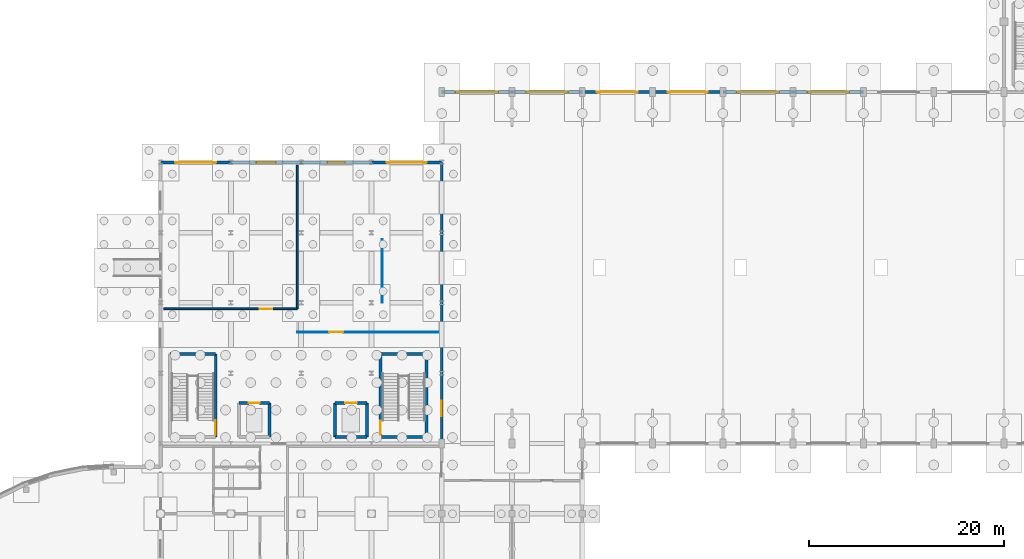
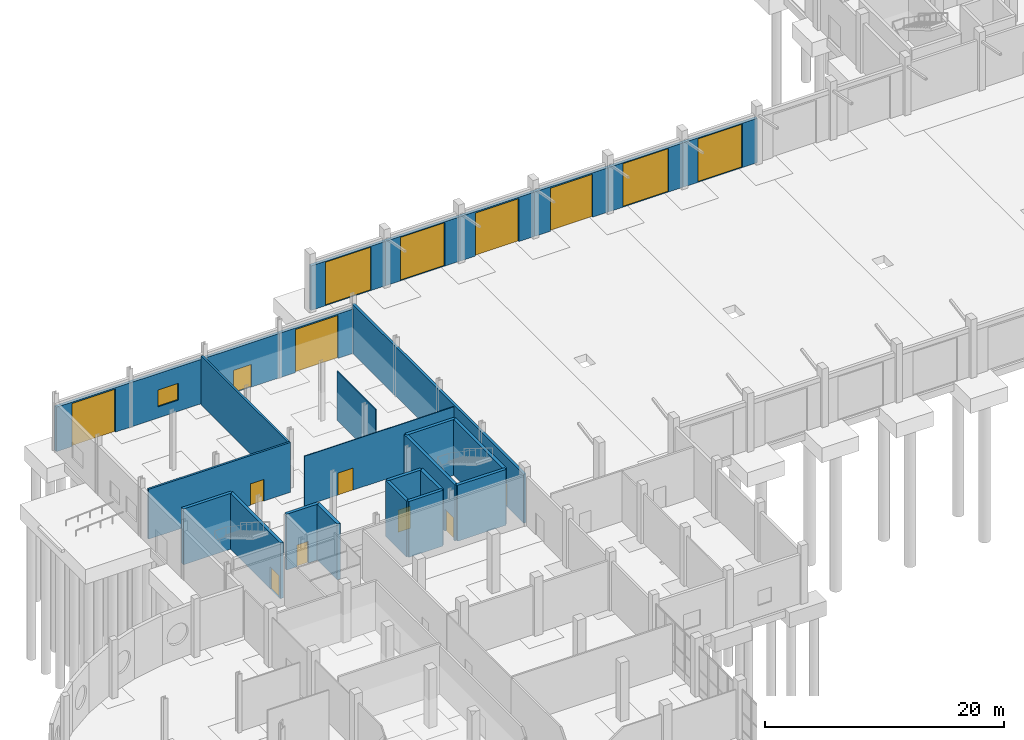
# One storey, part 33 of 45: 27 walls, 16 doors, 1 window, 17 openings.
"""IFC4 building model written with IfcOpenShell, lengths in metres."""

from ifc_helpers import new_model, si_unit, direction, frame, frame_2d, origin, place, context, subcontext, project, spatial, rectangle, extrude, material, layer, layer_set, type_object, element, fill, save


model = new_model("IFC4")

# Units and contexts
model_context = context("Model", 3, precision=1e-05, world=origin(), true_north=direction((0.0, 1.0)))
body_context = subcontext(model_context, "Body", "Model", "MODEL_VIEW")
ifc_project = project(units=[si_unit("LENGTHUNIT", "METRE"), si_unit("AREAUNIT", "SQUARE_METRE"), si_unit("VOLUMEUNIT", "CUBIC_METRE"), si_unit("PLANEANGLEUNIT", "RADIAN"), si_unit("MASSUNIT", "GRAM", prefix="KILO")], contexts=[model_context])

# Site, building, storey
site_placement = place(None, origin())
site = spatial("IfcSite", under=ifc_project, at=site_placement, CompositionType="ELEMENT")
building_placement = place(site_placement, origin())
building = spatial("IfcBuilding", under=site, at=building_placement, Name="Yarey Park Central Fire Station", CompositionType="ELEMENT")
storey_placement = place(building_placement, origin())
storey = spatial("IfcBuildingStorey", under=building, at=storey_placement, Name="L01", CompositionType="ELEMENT", Elevation=0.0)

# Wall, opening, door
ifc_material_1 = material(Name="Concrete C35/45", Category="concrete")
ifc_layer_1 = layer(ifc_material_1, 0.304931640625)
ifc_layer_set_1 = layer_set([ifc_layer_1], Name="Concrete C35/45")
wall_type_1 = type_object("IfcWallType", Name="ENV_WALL_CMU305", PredefinedType="STANDARD", material=ifc_layer_set_1)
wall_1_placement = place(storey_placement, frame((57.60009765625, 93.60009765625, 0.0), z_axis=(0.0, 0.0, 1.0), x_axis=(1.0, 0.0, 0.0)))
wall_1 = element("IfcWall", 1, at=wall_1_placement, inside=storey, type_object=wall_type_1, Name="EW_L01_V2_N_01", PredefinedType="STANDARD", context=body_context, shape_type="SweptSolid", body=[
    extrude(rectangle(XDim=7.199951171875, YDim=0.304931640625, at=frame_2d((3.60009765625, 0.0))), origin(), (0.0, 0.0, 1.0), 4.5400390625),
])
opening_1_placement = place(wall_1_placement, frame((1.39990234375, 0.0, 0.0)))
opening_1 = element("IfcOpeningElement", 2, at=opening_1_placement, cuts=wall_1, Name="Opening VD-44", PredefinedType="OPENING", context=body_context, shape_type="SweptSolid", body=[
    extrude(rectangle(XDim=4.39990234375, YDim=4.449951171875, at=frame_2d((2.199951171875, 2.22509765625))), frame((0.0, 0.162353515625, 0.0), z_axis=(0.0, -1.0, 0.0), x_axis=(1.0, 0.0, 0.0)), (0.0, 0.0, 1.0), 0.324951171875),
])
ifc_material_2 = material(Name="Anodized Aluminium Frame", Category="aluminium")
door_type_1 = type_object("IfcDoorType", Name="ENV_GATE_VD4400", OperationType="NOTDEFINED", PredefinedType="GATE", material=ifc_material_2)
door_1_placement = place(opening_1_placement, origin())
door_1 = element("IfcDoor", 3, at=door_1_placement, inside=storey, type_object=door_type_1, Name="GATE_VD_01", OperationType="FOLDING_TO_LEFT", OverallHeight=4.449951171875, OverallWidth=4.39990234375, PredefinedType="GATE", context=body_context, shape_type="SweptSolid", body=[
    extrude(rectangle(XDim=4.39990234375, YDim=4.449951171875, at=frame_2d((2.199951171875, 2.22509765625))), frame((0.0, 0.02490234375, 0.0), z_axis=(0.0, -1.0, 0.0), x_axis=(1.0, 0.0, 0.0)), (0.0, 0.0, 1.0), 0.050048828125),
])
fill(opening_1, door_1)

wall_2_placement = place(storey_placement, frame((64.800048828125, 93.60009765625, 0.0), z_axis=(0.0, 0.0, 1.0), x_axis=(1.0, 0.0, 0.0)))
wall_2 = element("IfcWall", 4, at=wall_2_placement, inside=storey, type_object=wall_type_1, Name="EW_L01_V2_N_02", PredefinedType="STANDARD", context=body_context, shape_type="SweptSolid", body=[
    extrude(rectangle(XDim=7.199951171875, YDim=0.304931640625, at=frame_2d((3.60009765625, 0.0))), origin(), (0.0, 0.0, 1.0), 4.5400390625),
])
opening_2_placement = place(wall_2_placement, frame((1.449951171875, 0.0, 0.0)))
opening_2 = element("IfcOpeningElement", 5, at=opening_2_placement, cuts=wall_2, Name="Opening VD-43", PredefinedType="OPENING", context=body_context, shape_type="SweptSolid", body=[
    extrude(rectangle(XDim=4.300048828125, YDim=4.449951171875, at=frame_2d((2.14990234375, 2.22509765625))), frame((0.0, 0.162353515625, 0.0), z_axis=(0.0, -1.0, 0.0), x_axis=(1.0, 0.0, 0.0)), (0.0, 0.0, 1.0), 0.324951171875),
])
door_type_2 = type_object("IfcDoorType", Name="ENV_GATE_VD4300", OperationType="NOTDEFINED", PredefinedType="GATE", material=ifc_material_2)
door_2_placement = place(opening_2_placement, origin())
door_2 = element("IfcDoor", 6, at=door_2_placement, inside=storey, type_object=door_type_2, Name="GATE_VD_02", OperationType="FOLDING_TO_LEFT", OverallHeight=4.449951171875, OverallWidth=4.300048828125, PredefinedType="GATE", context=body_context, shape_type="SweptSolid", body=[
    extrude(rectangle(XDim=4.300048828125, YDim=4.449951171875, at=frame_2d((2.14990234375, 2.22509765625))), frame((0.0, 0.02490234375, 0.0), z_axis=(0.0, -1.0, 0.0), x_axis=(1.0, 0.0, 0.0)), (0.0, 0.0, 1.0), 0.050048828125),
])
fill(opening_2, door_2)

wall_3_placement = place(storey_placement, frame((72.0, 93.60009765625, 0.0), z_axis=(0.0, 0.0, 1.0), x_axis=(1.0, 0.0, 0.0)))
wall_3 = element("IfcWall", 7, at=wall_3_placement, inside=storey, type_object=wall_type_1, Name="EW_L01_V2_N_03", PredefinedType="STANDARD", context=body_context, shape_type="SweptSolid", body=[
    extrude(rectangle(XDim=7.199951171875, YDim=0.304931640625, at=frame_2d((3.60009765625, 0.0))), origin(), (0.0, 0.0, 1.0), 4.5400390625),
])
opening_3_placement = place(wall_3_placement, frame((1.5, 0.0, 0.0)))
opening_3 = element("IfcOpeningElement", 8, at=opening_3_placement, cuts=wall_3, Name="Opening VD-42", PredefinedType="OPENING", context=body_context, shape_type="SweptSolid", body=[
    extrude(rectangle(XDim=4.199951171875, YDim=4.39990234375, at=frame_2d((2.10009765625, 2.199951171875))), frame((0.0, 0.162353515625, 0.0), z_axis=(0.0, -1.0, 0.0), x_axis=(1.0, 0.0, 0.0)), (0.0, 0.0, 1.0), 0.324951171875),
])
door_type_3 = type_object("IfcDoorType", Name="ENV_GATE_VD4200", OperationType="NOTDEFINED", PredefinedType="GATE", material=ifc_material_2)
door_3_placement = place(opening_3_placement, origin())
door_3 = element("IfcDoor", 9, at=door_3_placement, inside=storey, type_object=door_type_3, Name="GATE_VD_03", OperationType="FOLDING_TO_LEFT", OverallHeight=4.39990234375, OverallWidth=4.199951171875, PredefinedType="GATE", context=body_context, shape_type="SweptSolid", body=[
    extrude(rectangle(XDim=4.199951171875, YDim=4.39990234375, at=frame_2d((2.10009765625, 2.199951171875))), frame((0.0, 0.02490234375, 0.0), z_axis=(0.0, -1.0, 0.0), x_axis=(1.0, 0.0, 0.0)), (0.0, 0.0, 1.0), 0.050048828125),
])
fill(opening_3, door_3)

wall_4_placement = place(storey_placement, frame((79.199951171875, 93.60009765625, 0.0), z_axis=(0.0, 0.0, 1.0), x_axis=(1.0, 0.0, 0.0)))
wall_4 = element("IfcWall", 10, at=wall_4_placement, inside=storey, type_object=wall_type_1, Name="EW_L01_V2_N_04", PredefinedType="STANDARD", context=body_context, shape_type="SweptSolid", body=[
    extrude(rectangle(XDim=7.199951171875, YDim=0.304931640625, at=frame_2d((3.60009765625, 0.0))), origin(), (0.0, 0.0, 1.0), 4.5400390625),
])
opening_4_placement = place(wall_4_placement, frame((1.550048828125, 0.0, 0.0)))
opening_4 = element("IfcOpeningElement", 11, at=opening_4_placement, cuts=wall_4, Name="Opening VD-41", PredefinedType="OPENING", context=body_context, shape_type="SweptSolid", body=[
    extrude(rectangle(XDim=4.10009765625, YDim=4.39990234375, at=frame_2d((2.050048828125, 2.199951171875))), frame((0.0, 0.162353515625, 0.0), z_axis=(0.0, -1.0, 0.0), x_axis=(1.0, 0.0, 0.0)), (0.0, 0.0, 1.0), 0.324951171875),
])
door_type_4 = type_object("IfcDoorType", Name="ENV_GATE_VD4100", OperationType="NOTDEFINED", PredefinedType="GATE", material=ifc_material_2)
door_4_placement = place(opening_4_placement, origin())
door_4 = element("IfcDoor", 12, at=door_4_placement, inside=storey, type_object=door_type_4, Name="GATE_VD_04", OperationType="FOLDING_TO_LEFT", OverallHeight=4.39990234375, OverallWidth=4.10009765625, PredefinedType="GATE", context=body_context, shape_type="SweptSolid", body=[
    extrude(rectangle(XDim=4.10009765625, YDim=4.39990234375, at=frame_2d((2.050048828125, 2.199951171875))), frame((0.0, 0.02490234375, 0.0), z_axis=(0.0, -1.0, 0.0), x_axis=(1.0, 0.0, 0.0)), (0.0, 0.0, 1.0), 0.050048828125),
])
fill(opening_4, door_4)

wall_5_placement = place(storey_placement, frame((86.39990234375, 93.60009765625, 0.0), z_axis=(0.0, 0.0, 1.0), x_axis=(1.0, 0.0, 0.0)))
wall_5 = element("IfcWall", 13, at=wall_5_placement, inside=storey, type_object=wall_type_1, Name="EW_L01_V2_N_05", PredefinedType="STANDARD", context=body_context, shape_type="SweptSolid", body=[
    extrude(rectangle(XDim=7.2001953125, YDim=0.304931640625, at=frame_2d((3.60009765625, 0.0))), origin(), (0.0, 0.0, 1.0), 4.5400390625),
])
opening_5_placement = place(wall_5_placement, frame((1.39990234375, 0.0, 0.0)))
opening_5 = element("IfcOpeningElement", 14, at=opening_5_placement, cuts=wall_5, Name="Opening VD-44", PredefinedType="OPENING", context=body_context, shape_type="SweptSolid", body=[
    extrude(rectangle(XDim=4.39990234375, YDim=4.449951171875, at=frame_2d((2.199951171875, 2.22509765625))), frame((0.0, 0.162353515625, 0.0), z_axis=(0.0, -1.0, 0.0), x_axis=(1.0, 0.0, 0.0)), (0.0, 0.0, 1.0), 0.324951171875),
])
door_5_placement = place(opening_5_placement, origin())
door_5 = element("IfcDoor", 15, at=door_5_placement, inside=storey, type_object=door_type_1, Name="GATE_VD_05", OperationType="FOLDING_TO_LEFT", OverallHeight=4.449951171875, OverallWidth=4.39990234375, PredefinedType="GATE", context=body_context, shape_type="SweptSolid", body=[
    extrude(rectangle(XDim=4.39990234375, YDim=4.449951171875, at=frame_2d((2.199951171875, 2.22509765625))), frame((0.0, 0.02490234375, 0.0), z_axis=(0.0, -1.0, 0.0), x_axis=(1.0, 0.0, 0.0)), (0.0, 0.0, 1.0), 0.050048828125),
])
fill(opening_5, door_5)

wall_6_placement = place(storey_placement, frame((93.60009765625, 93.60009765625, 0.0), z_axis=(0.0, 0.0, 1.0), x_axis=(1.0, 0.0, 0.0)))
wall_6 = element("IfcWall", 16, at=wall_6_placement, inside=storey, type_object=wall_type_1, Name="EW_L01_V2_N_06", PredefinedType="STANDARD", context=body_context, shape_type="SweptSolid", body=[
    extrude(rectangle(XDim=7.199951171875, YDim=0.304931640625, at=frame_2d((3.60009765625, 0.0))), origin(), (0.0, 0.0, 1.0), 4.5400390625),
])
opening_6_placement = place(wall_6_placement, frame((1.449951171875, 0.0, 0.0)))
opening_6 = element("IfcOpeningElement", 17, at=opening_6_placement, cuts=wall_6, Name="Opening VD-43", PredefinedType="OPENING", context=body_context, shape_type="SweptSolid", body=[
    extrude(rectangle(XDim=4.300048828125, YDim=4.449951171875, at=frame_2d((2.14990234375, 2.22509765625))), frame((0.0, 0.162353515625, 0.0), z_axis=(0.0, -1.0, 0.0), x_axis=(1.0, 0.0, 0.0)), (0.0, 0.0, 1.0), 0.324951171875),
])
door_6_placement = place(opening_6_placement, origin())
door_6 = element("IfcDoor", 18, at=door_6_placement, inside=storey, type_object=door_type_2, Name="GATE_VD_06", OperationType="FOLDING_TO_LEFT", OverallHeight=4.449951171875, OverallWidth=4.300048828125, PredefinedType="GATE", context=body_context, shape_type="SweptSolid", body=[
    extrude(rectangle(XDim=4.300048828125, YDim=4.449951171875, at=frame_2d((2.14990234375, 2.22509765625))), frame((0.0, 0.02490234375, 0.0), z_axis=(0.0, -1.0, 0.0), x_axis=(1.0, 0.0, 0.0)), (0.0, 0.0, 1.0), 0.050048828125),
])
fill(opening_6, door_6)

wall_7_placement = place(storey_placement, frame((36.0, 86.39990234375, 0.0), z_axis=(0.0, 0.0, 1.0), x_axis=(-1.0, 0.0, 0.0)))
wall_7 = element("IfcWall", 19, at=wall_7_placement, inside=storey, type_object=wall_type_1, Name="EW_L01_V3_NBAY_1", PredefinedType="STANDARD", context=body_context, shape_type="SweptSolid", body=[
    extrude(rectangle(XDim=7.199951171875, YDim=0.304931640625, at=frame_2d((3.60009765625, 0.0))), origin(), (0.0, 0.0, 1.0), 4.5400390625),
])
opening_7_placement = place(wall_7_placement, frame((1.5, 0.0, 0.0)))
opening_7 = element("IfcOpeningElement", 20, at=opening_7_placement, cuts=wall_7, Name="Opening VD-42", PredefinedType="OPENING", context=body_context, shape_type="SweptSolid", body=[
    extrude(rectangle(XDim=4.199951171875, YDim=4.39990234375, at=frame_2d((2.10009765625, 2.199951171875))), frame((0.0, 0.162353515625, 0.0), z_axis=(0.0, -1.0, 0.0), x_axis=(1.0, 0.0, 0.0)), (0.0, 0.0, 1.0), 0.324951171875),
])
door_7_placement = place(opening_7_placement, origin())
door_7 = element("IfcDoor", 21, at=door_7_placement, inside=storey, type_object=door_type_3, Name="GATE_VD_PLINTH_N1", OperationType="FOLDING_TO_LEFT", OverallHeight=4.39990234375, OverallWidth=4.199951171875, PredefinedType="GATE", context=body_context, shape_type="SweptSolid", body=[
    extrude(rectangle(XDim=4.199951171875, YDim=4.39990234375, at=frame_2d((2.10009765625, 2.199951171875))), frame((0.0, 0.02490234375, 0.0), z_axis=(0.0, -1.0, 0.0), x_axis=(1.0, 0.0, 0.0)), (0.0, 0.0, 1.0), 0.050048828125),
])
fill(opening_7, door_7)

# Wall, opening, window
wall_8_placement = place(storey_placement, frame((43.199951171875, 86.39990234375, 0.0), z_axis=(0.0, 0.0, 1.0), x_axis=(-1.0, 0.0, 0.0)))
wall_8 = element("IfcWall", 22, at=wall_8_placement, inside=storey, type_object=wall_type_1, Name="EW_L01_V3_NBAY_2", PredefinedType="STANDARD", context=body_context, shape_type="SweptSolid", body=[
    extrude(rectangle(XDim=7.199951171875, YDim=0.304931640625, at=frame_2d((3.60009765625, 0.0))), origin(), (0.0, 0.0, 1.0), 4.5400390625),
])
opening_8_placement = place(wall_8_placement, frame((2.610107421875, 0.0, 1.14990234375)))
opening_8 = element("IfcOpeningElement", 23, at=opening_8_placement, cuts=wall_8, Name="Opening WN-P198", PredefinedType="OPENING", context=body_context, shape_type="SweptSolid", body=[
    extrude(rectangle(XDim=1.97998046875, YDim=1.719970703125, at=frame_2d((0.989990234375, 0.85986328125))), frame((0.0, 0.162353515625, 0.0), z_axis=(0.0, -1.0, 0.0), x_axis=(1.0, 0.0, 0.0)), (0.0, 0.0, 1.0), 0.324951171875),
])
ifc_material_3 = material(Name="Laminated Hurricane Low-E Glass", Category="glass")
window_type = type_object("IfcWindowType", Name="ENV_WIN_PUNCH_198", PartitioningType="SINGLE_PANEL", PredefinedType="WINDOW", material=ifc_material_3)
window_placement = place(opening_8_placement, origin())
window = element("IfcWindow", 24, at=window_placement, inside=storey, type_object=window_type, Name="WIN_L01_V3N_1", OverallHeight=1.719970703125, OverallWidth=1.97998046875, PartitioningType="SINGLE_PANEL", PredefinedType="WINDOW", context=body_context, shape_type="SweptSolid", body=[
    extrude(rectangle(XDim=1.97998046875, YDim=1.719970703125, at=frame_2d((0.989990234375, 0.85986328125))), frame((0.0, 0.030029296875, 0.0), z_axis=(0.0, -1.0, 0.0), x_axis=(1.0, 0.0, 0.0)), (0.0, 0.0, 1.0), 0.06005859375),
])
fill(opening_8, window)

# Wall, opening, door
wall_9_placement = place(storey_placement, frame((43.199951171875, 86.39990234375, 0.0), z_axis=(0.0, 0.0, 1.0), x_axis=(1.0, 0.0, 0.0)))
wall_9 = element("IfcWall", 25, at=wall_9_placement, inside=storey, type_object=wall_type_1, Name="EW_L01_V3_NBAY_3", PredefinedType="STANDARD", context=body_context, shape_type="SweptSolid", body=[
    extrude(rectangle(XDim=7.199951171875, YDim=0.304931640625, at=frame_2d((3.60009765625, 0.0))), origin(), (0.0, 0.0, 1.0), 4.5400390625),
])
opening_9_placement = place(wall_9_placement, frame((2.719970703125, 0.0, 0.0)))
opening_9 = element("IfcOpeningElement", 26, at=opening_9_placement, cuts=wall_9, Name="Opening ED-176", PredefinedType="OPENING", context=body_context, shape_type="SweptSolid", body=[
    extrude(rectangle(XDim=1.760009765625, YDim=2.320068359375, at=frame_2d((0.8798828125, 1.16015625))), frame((0.0, 0.162353515625, 0.0), z_axis=(0.0, -1.0, 0.0), x_axis=(1.0, 0.0, 0.0)), (0.0, 0.0, 1.0), 0.324951171875),
])
ifc_material_4 = material(Name="Galvanized Hollow Metal Door", Category="metal")
door_type_5 = type_object("IfcDoorType", Name="ENV_DOOR_EX1760", OperationType="NOTDEFINED", PredefinedType="DOOR", material=ifc_material_4)
door_8_placement = place(opening_9_placement, origin())
door_8 = element("IfcDoor", 27, at=door_8_placement, inside=storey, type_object=door_type_5, Name="DOOR_L01_EX_E05", OperationType="SINGLE_SWING_LEFT", OverallHeight=2.320068359375, OverallWidth=1.760009765625, PredefinedType="DOOR", context=body_context, shape_type="SweptSolid", body=[
    extrude(rectangle(XDim=1.760009765625, YDim=2.320068359375, at=frame_2d((0.8798828125, 1.16015625))), frame((0.0, 0.02490234375, 0.0), z_axis=(0.0, -1.0, 0.0), x_axis=(1.0, 0.0, 0.0)), (0.0, 0.0, 1.0), 0.050048828125),
])
fill(opening_9, door_8)

wall_10_placement = place(storey_placement, frame((57.60009765625, 86.39990234375, 0.0), z_axis=(0.0, 0.0, 1.0), x_axis=(-1.0, 0.0, 0.0)))
wall_10 = element("IfcWall", 28, at=wall_10_placement, inside=storey, type_object=wall_type_1, Name="EW_L01_V3_NBAY_4", PredefinedType="STANDARD", context=body_context, shape_type="SweptSolid", body=[
    extrude(rectangle(XDim=7.2001953125, YDim=0.304931640625, at=frame_2d((3.60009765625, 0.0))), origin(), (0.0, 0.0, 1.0), 4.5400390625),
])
opening_10_placement = place(wall_10_placement, frame((1.550048828125, 0.0, 0.0)))
opening_10 = element("IfcOpeningElement", 29, at=opening_10_placement, cuts=wall_10, Name="Opening VD-41", PredefinedType="OPENING", context=body_context, shape_type="SweptSolid", body=[
    extrude(rectangle(XDim=4.10009765625, YDim=4.39990234375, at=frame_2d((2.050048828125, 2.199951171875))), frame((0.0, 0.162353515625, 0.0), z_axis=(0.0, -1.0, 0.0), x_axis=(1.0, 0.0, 0.0)), (0.0, 0.0, 1.0), 0.324951171875),
])
door_9_placement = place(opening_10_placement, origin())
door_9 = element("IfcDoor", 30, at=door_9_placement, inside=storey, type_object=door_type_4, Name="GATE_VD_PLINTH_N4", OperationType="FOLDING_TO_LEFT", OverallHeight=4.39990234375, OverallWidth=4.10009765625, PredefinedType="GATE", context=body_context, shape_type="SweptSolid", body=[
    extrude(rectangle(XDim=4.10009765625, YDim=4.39990234375, at=frame_2d((2.050048828125, 2.199951171875))), frame((0.0, 0.02490234375, 0.0), z_axis=(0.0, -1.0, 0.0), x_axis=(1.0, 0.0, 0.0)), (0.0, 0.0, 1.0), 0.050048828125),
])
fill(opening_10, door_9)

ifc_material_5 = material(Name="Concrete C40/50", Category="concrete")
ifc_layer_2 = layer(ifc_material_5, 0.27001953125)
ifc_layer_set_2 = layer_set([ifc_layer_2], Name="Concrete C40/50")
wall_type_2 = type_object("IfcWallType", Name="INT_CORE_RC270", PredefinedType="SHEAR", material=ifc_layer_set_2)
wall_11_placement = place(storey_placement, frame((39.949951171875, 61.75, 0.0), z_axis=(0.0, 0.0, 1.0), x_axis=(-1.0, 0.0, 0.0)))
wall_11 = element("IfcWall", 31, at=wall_11_placement, inside=storey, type_object=wall_type_2, Name="LWALL_C3_L01_N", PredefinedType="SHEAR", context=body_context, shape_type="SweptSolid", body=[
    extrude(rectangle(XDim=3.099853515625, YDim=0.300048828125, at=frame_2d((1.5498046875, 0.0))), origin(), (0.0, 0.0, 1.0), 5.715087890625),
])
opening_11_placement = place(wall_11_placement, frame((1.0, 0.0, 0.0)))
opening_11 = element("IfcOpeningElement", 32, at=opening_11_placement, cuts=wall_11, Name="Opening LD-11", PredefinedType="OPENING", context=body_context, shape_type="SweptSolid", body=[
    extrude(rectangle(XDim=1.10009765625, YDim=2.219970703125, at=frame_2d((0.550048828125, 1.10986328125))), frame((0.0, 0.159912109375, 0.0), z_axis=(0.0, -1.0, 0.0), x_axis=(1.0, 0.0, 0.0)), (0.0, 0.0, 1.0), 0.320068359375),
])
ifc_material_6 = material(Name="Stainless Steel AISI 316L", Category="steel")
door_type_6 = type_object("IfcDoorType", Name="DR_LD_1100", OperationType="NOTDEFINED", PredefinedType="DOOR", material=ifc_material_6)
door_10_placement = place(opening_11_placement, origin())
door_10 = element("IfcDoor", 33, at=door_10_placement, inside=storey, type_object=door_type_6, Name="Lift Landing Door LF-3-L01", OperationType="SLIDING_TO_LEFT", OverallHeight=2.219970703125, OverallWidth=1.10009765625, PredefinedType="DOOR", context=body_context, shape_type="SweptSolid", body=[
    extrude(rectangle(XDim=1.10009765625, YDim=2.219970703125, at=frame_2d((0.550048828125, 1.10986328125))), frame((0.0, 0.02490234375, 0.0), z_axis=(0.0, -1.0, 0.0), x_axis=(1.0, 0.0, 0.0)), (0.0, 0.0, 1.0), 0.050048828125),
])
fill(opening_11, door_10)

# Walls
wall_12_placement = place(storey_placement, frame((39.949951171875, 58.25, 0.0), z_axis=(0.0, 0.0, 1.0), x_axis=(0.0, 1.0, 0.0)))
element("IfcWall", 34, at=wall_12_placement, inside=storey, type_object=wall_type_2, Name="LWALL_C3_L01_E", PredefinedType="SHEAR", context=body_context, shape_type="SweptSolid", body=[
    extrude(rectangle(XDim=3.5, YDim=0.300048828125, at=frame_2d((1.75, 0.0))), origin(), (0.0, 0.0, 1.0), 5.715087890625),
])
wall_13_placement = place(storey_placement, frame((46.64990234375, 58.25, 0.0), z_axis=(0.0, 0.0, 1.0), x_axis=(1.0, 0.0, 0.0)))
element("IfcWall", 35, at=wall_13_placement, inside=storey, type_object=wall_type_2, Name="LWALL_C4_L01_S", PredefinedType="SHEAR", context=body_context, shape_type="SweptSolid", body=[
    extrude(rectangle(XDim=3.300048828125, YDim=0.300048828125, at=frame_2d((1.64990234375, 0.0))), origin(), (0.0, 0.0, 1.0), 5.715087890625),
])

# Wall, opening, door
wall_14_placement = place(storey_placement, frame((49.949951171875, 61.75, 0.0), z_axis=(0.0, 0.0, 1.0), x_axis=(-1.0, 0.0, 0.0)))
wall_14 = element("IfcWall", 36, at=wall_14_placement, inside=storey, type_object=wall_type_2, Name="LWALL_C4_L01_N", PredefinedType="SHEAR", context=body_context, shape_type="SweptSolid", body=[
    extrude(rectangle(XDim=3.300048828125, YDim=0.300048828125, at=frame_2d((1.64990234375, 0.0))), origin(), (0.0, 0.0, 1.0), 5.715087890625),
])
opening_12_placement = place(wall_14_placement, frame((1.050048828125, 0.0, 0.0)))
opening_12 = element("IfcOpeningElement", 37, at=opening_12_placement, cuts=wall_14, Name="Opening LD-12", PredefinedType="OPENING", context=body_context, shape_type="SweptSolid", body=[
    extrude(rectangle(XDim=1.199951171875, YDim=2.260009765625, at=frame_2d((0.60009765625, 1.1298828125))), frame((0.0, 0.159912109375, 0.0), z_axis=(0.0, -1.0, 0.0), x_axis=(1.0, 0.0, 0.0)), (0.0, 0.0, 1.0), 0.320068359375),
])
door_type_7 = type_object("IfcDoorType", Name="DR_LD_1200", OperationType="NOTDEFINED", PredefinedType="DOOR", material=ifc_material_6)
door_11_placement = place(opening_12_placement, origin())
door_11 = element("IfcDoor", 38, at=door_11_placement, inside=storey, type_object=door_type_7, Name="Lift Landing Door LF-4-L01", OperationType="SLIDING_TO_LEFT", OverallHeight=2.260009765625, OverallWidth=1.199951171875, PredefinedType="DOOR", context=body_context, shape_type="SweptSolid", body=[
    extrude(rectangle(XDim=1.199951171875, YDim=2.260009765625, at=frame_2d((0.60009765625, 1.1298828125))), frame((0.0, 0.02490234375, 0.0), z_axis=(0.0, -1.0, 0.0), x_axis=(1.0, 0.0, 0.0)), (0.0, 0.0, 1.0), 0.050048828125),
])
fill(opening_12, door_11)

# Walls
for number, where, z_axis, x_axis, name in (
    (39, (46.64990234375, 61.75, 0.0), (0.0, 0.0, 1.0), (0.0, -1.0, 0.0), "LWALL_C4_L01_W"),
    (40, (49.949951171875, 58.25, 0.0), (0.0, 0.0, 1.0), (0.0, 1.0, 0.0), "LWALL_C4_L01_E"),
):
    element("IfcWall", number, at=place(storey_placement, frame(where, z_axis=z_axis, x_axis=x_axis)), inside=storey, type_object=wall_type_2, Name=name, PredefinedType="SHEAR", context=body_context, shape_type="SweptSolid", body=[
        extrude(rectangle(XDim=3.5, YDim=0.300048828125, at=frame_2d((1.75, 0.0))), origin(), (0.0, 0.0, 1.0), 5.715087890625),
    ])
ifc_layer_3 = layer(ifc_material_5, 0.300048828125)
ifc_layer_set_3 = layer_set([ifc_layer_3], Name="Concrete C40/50")
wall_type_3 = type_object("IfcWallType", Name="INT_CORE_RC300", PredefinedType="SHEAR", material=ifc_layer_set_3)
wall_15_placement = place(storey_placement, frame((34.449951171875, 66.75, 0.0), z_axis=(0.0, 0.0, 1.0), x_axis=(-1.0, 0.0, 0.0)))
element("IfcWall", 41, at=wall_15_placement, inside=storey, type_object=wall_type_3, Name="CWALL_C3_L01_N", PredefinedType="SHEAR", context=body_context, shape_type="SweptSolid", body=[
    extrude(rectangle(XDim=4.699951171875, YDim=0.300048828125, at=frame_2d((2.35009765625, 0.0))), origin(), (0.0, 0.0, 1.0), 5.715087890625),
])

# Wall, opening, door
wall_16_placement = place(storey_placement, frame((34.449951171875, 66.75, 0.0), z_axis=(0.0, 0.0, 1.0), x_axis=(0.0, -1.0, 0.0)))
wall_16 = element("IfcWall", 42, at=wall_16_placement, inside=storey, type_object=wall_type_3, Name="CWALL_C3_L01_E", PredefinedType="SHEAR", context=body_context, shape_type="SweptSolid", body=[
    extrude(rectangle(XDim=8.5, YDim=0.300048828125, at=frame_2d((4.25, 0.0))), origin(), (0.0, 0.0, 1.0), 5.715087890625),
])
opening_13_placement = place(wall_16_placement, frame((6.7900390625, 0.0, 0.0)))
opening_13 = element("IfcOpeningElement", 43, at=opening_13_placement, cuts=wall_16, Name="Opening SD-146", PredefinedType="OPENING", context=body_context, shape_type="SweptSolid", body=[
    extrude(rectangle(XDim=1.4599609375, YDim=2.239990234375, at=frame_2d((0.72998046875, 1.1201171875))), frame((0.0, 0.159912109375, 0.0), z_axis=(0.0, -1.0, 0.0), x_axis=(1.0, 0.0, 0.0)), (0.0, 0.0, 1.0), 0.320068359375),
])
door_type_8 = type_object("IfcDoorType", Name="DR_STAIR_1460", OperationType="NOTDEFINED", PredefinedType="DOOR", material=ifc_material_4)
door_12_placement = place(opening_13_placement, origin())
door_12 = element("IfcDoor", 44, at=door_12_placement, inside=storey, type_object=door_type_8, Name="DOOR_STAIR_C3_L01", OperationType="SINGLE_SWING_LEFT", OverallHeight=2.239990234375, OverallWidth=1.4599609375, PredefinedType="DOOR", context=body_context, shape_type="SweptSolid", body=[
    extrude(rectangle(XDim=1.4599609375, YDim=2.239990234375, at=frame_2d((0.72998046875, 1.1201171875))), frame((0.0, 0.02490234375, 0.0), z_axis=(0.0, -1.0, 0.0), x_axis=(1.0, 0.0, 0.0)), (0.0, 0.0, 1.0), 0.050048828125),
])
fill(opening_13, door_12)

# Walls
for number, where, z_axis, x_axis, name in (
    (45, (51.35009765625, 58.25, 0.0), (0.0, 0.0, 1.0), (1.0, 0.0, 0.0), "CWALL_C4_L01_S"),
    (46, (56.050048828125, 66.75, 0.0), (0.0, 0.0, 1.0), (-1.0, 0.0, 0.0), "CWALL_C4_L01_N"),
):
    element("IfcWall", number, at=place(storey_placement, frame(where, z_axis=z_axis, x_axis=x_axis)), inside=storey, type_object=wall_type_3, Name=name, PredefinedType="SHEAR", context=body_context, shape_type="SweptSolid", body=[
        extrude(rectangle(XDim=4.699951171875, YDim=0.300048828125, at=frame_2d((2.35009765625, 0.0))), origin(), (0.0, 0.0, 1.0), 5.715087890625),
    ])

# Wall, opening, door
wall_17_placement = place(storey_placement, frame((51.35009765625, 58.25, 0.0), z_axis=(0.0, 0.0, 1.0), x_axis=(0.0, 1.0, 0.0)))
wall_17 = element("IfcWall", 47, at=wall_17_placement, inside=storey, type_object=wall_type_3, Name="CWALL_C4_L01_W", PredefinedType="SHEAR", context=body_context, shape_type="SweptSolid", body=[
    extrude(rectangle(XDim=8.5, YDim=0.300048828125, at=frame_2d((4.25, 0.0))), origin(), (0.0, 0.0, 1.0), 5.715087890625),
])
opening_14_placement = place(wall_17_placement, frame((0.25, 0.0, 0.0)))
opening_14 = element("IfcOpeningElement", 48, at=opening_14_placement, cuts=wall_17, Name="Opening SD-142", PredefinedType="OPENING", context=body_context, shape_type="SweptSolid", body=[
    extrude(rectangle(XDim=1.419921875, YDim=2.219970703125, at=frame_2d((0.7099609375, 1.10986328125))), frame((0.0, 0.159912109375, 0.0), z_axis=(0.0, -1.0, 0.0), x_axis=(1.0, 0.0, 0.0)), (0.0, 0.0, 1.0), 0.320068359375),
])
door_type_9 = type_object("IfcDoorType", Name="DR_STAIR_1420", OperationType="NOTDEFINED", PredefinedType="DOOR", material=ifc_material_4)
door_13_placement = place(opening_14_placement, origin())
door_13 = element("IfcDoor", 49, at=door_13_placement, inside=storey, type_object=door_type_9, Name="DOOR_STAIR_C4_L01", OperationType="SINGLE_SWING_RIGHT", OverallHeight=2.219970703125, OverallWidth=1.419921875, PredefinedType="DOOR", context=body_context, shape_type="SweptSolid", body=[
    extrude(rectangle(XDim=1.419921875, YDim=2.219970703125, at=frame_2d((0.7099609375, 1.10986328125))), frame((0.0, 0.02490234375, 0.0), z_axis=(0.0, -1.0, 0.0), x_axis=(1.0, 0.0, 0.0)), (0.0, 0.0, 1.0), 0.050048828125),
])
fill(opening_14, door_13)

# Wall
wall_18_placement = place(storey_placement, frame((56.050048828125, 66.75, 0.0), z_axis=(0.0, 0.0, 1.0), x_axis=(0.0, -1.0, 0.0)))
element("IfcWall", 50, at=wall_18_placement, inside=storey, type_object=wall_type_3, Name="CWALL_C4_L01_E", PredefinedType="SHEAR", context=body_context, shape_type="SweptSolid", body=[
    extrude(rectangle(XDim=8.5, YDim=0.300048828125, at=frame_2d((4.25, 0.0))), origin(), (0.0, 0.0, 1.0), 5.715087890625),
])

# Wall, opening, door
ifc_layer_4 = layer(ifc_material_1, 0.18994140625)
ifc_layer_set_4 = layer_set([ifc_layer_4], Name="Concrete C35/45")
wall_type_4 = type_object("IfcWallType", Name="INT_WALL_CMU190", PredefinedType="STANDARD", material=ifc_layer_set_4)
wall_19_placement = place(storey_placement, frame((29.10009765625, 71.39990234375, 0.0), z_axis=(0.0, 0.0, 1.0), x_axis=(1.0, 0.0, 0.0)))
wall_19 = element("IfcWall", 51, at=wall_19_placement, inside=storey, type_object=wall_type_4, Name="PART_SPC_L01_SCBA_SOUTH", PredefinedType="STANDARD", context=body_context, shape_type="SweptSolid", body=[
    extrude(rectangle(XDim=13.699951171875, YDim=0.18994140625, at=frame_2d((6.85009765625, 0.0))), origin(), (0.0, 0.0, 1.0), 5.10302734375),
])
opening_15_placement = place(wall_19_placement, frame((9.85009765625, 0.0, 0.0)))
opening_15 = element("IfcOpeningElement", 52, at=opening_15_placement, cuts=wall_19, Name="Opening FD-130", PredefinedType="OPENING", context=body_context, shape_type="SweptSolid", body=[
    extrude(rectangle(XDim=1.300048828125, YDim=2.219970703125, at=frame_2d((0.64990234375, 1.10986328125))), frame((0.0, 0.10498046875, 0.0), z_axis=(0.0, -1.0, 0.0), x_axis=(1.0, 0.0, 0.0)), (0.0, 0.0, 1.0), 0.2099609375),
])
door_type_10 = type_object("IfcDoorType", Name="DR_FD_1300", OperationType="NOTDEFINED", PredefinedType="DOOR", material=ifc_material_4)
door_14_placement = place(opening_15_placement, origin())
door_14 = element("IfcDoor", 53, at=door_14_placement, inside=storey, type_object=door_type_10, Name="DOOR_SPC_L01_SCBA", OperationType="SINGLE_SWING_LEFT", OverallHeight=2.219970703125, OverallWidth=1.300048828125, PredefinedType="DOOR", context=body_context, shape_type="SweptSolid", body=[
    extrude(rectangle(XDim=1.300048828125, YDim=2.219970703125, at=frame_2d((0.64990234375, 1.10986328125))), frame((0.0, 0.02490234375, 0.0), z_axis=(0.0, -1.0, 0.0), x_axis=(1.0, 0.0, 0.0)), (0.0, 0.0, 1.0), 0.050048828125),
])
fill(opening_15, door_14)

# Wall
wall_20_placement = place(storey_placement, frame((42.800048828125, 71.39990234375, 0.0), z_axis=(0.0, 0.0, 1.0), x_axis=(0.0, 1.0, 0.0)))
element("IfcWall", 54, at=wall_20_placement, inside=storey, type_object=wall_type_4, Name="PART_SPC_L01_SCBA_EAST", PredefinedType="STANDARD", context=body_context, shape_type="SweptSolid", body=[
    extrude(rectangle(XDim=14.7001953125, YDim=0.18994140625, at=frame_2d((7.35009765625, 0.0))), origin(), (0.0, 0.0, 1.0), 5.02197265625),
])

# Wall, opening, door
ifc_layer_5 = layer(ifc_material_1, 0.2451171875)
ifc_layer_set_5 = layer_set([ifc_layer_5], Name="Concrete C35/45")
wall_type_5 = type_object("IfcWallType", Name="INT_WALL_FB245", PredefinedType="STANDARD", material=ifc_layer_set_5)
wall_21_placement = place(storey_placement, frame((57.60009765625, 57.60009765625, 0.0), z_axis=(0.0, 0.0, 1.0), x_axis=(0.0, 1.0, 0.0)))
wall_21 = element("IfcWall", 55, at=wall_21_placement, inside=storey, type_object=wall_type_5, Name="IW_L01_V3_V2", PredefinedType="STANDARD", context=body_context, shape_type="SweptSolid", body=[
    extrude(rectangle(XDim=28.7998046875, YDim=0.2451171875, at=frame_2d((14.39990234375, 0.0))), origin(), (0.0, 0.0, 1.0), 5.02197265625),
])
opening_16_placement = place(wall_21_placement, frame((2.800048828125, 0.0, 0.0)))
opening_16 = element("IfcOpeningElement", 56, at=opening_16_placement, cuts=wall_21, Name="Opening FD-158", PredefinedType="OPENING", context=body_context, shape_type="SweptSolid", body=[
    extrude(rectangle(XDim=1.580078125, YDim=2.280029296875, at=frame_2d((0.7900390625, 1.14013671875))), frame((0.0, 0.132568359375, 0.0), z_axis=(0.0, -1.0, 0.0), x_axis=(1.0, 0.0, 0.0)), (0.0, 0.0, 1.0), 0.26513671875),
])
door_type_11 = type_object("IfcDoorType", Name="DR_FD_1580", OperationType="NOTDEFINED", PredefinedType="DOOR", material=ifc_material_4)
door_15_placement = place(opening_16_placement, origin())
door_15 = element("IfcDoor", 57, at=door_15_placement, inside=storey, type_object=door_type_11, Name="DOOR_IW_L01_V3_V2", OperationType="SINGLE_SWING_RIGHT", OverallHeight=2.280029296875, OverallWidth=1.580078125, PredefinedType="DOOR", context=body_context, shape_type="SweptSolid", body=[
    extrude(rectangle(XDim=1.580078125, YDim=2.280029296875, at=frame_2d((0.7900390625, 1.14013671875))), frame((0.0, 0.02490234375, 0.0), z_axis=(0.0, -1.0, 0.0), x_axis=(1.0, 0.0, 0.0)), (0.0, 0.0, 1.0), 0.050048828125),
])
fill(opening_16, door_15)

# Wall
ifc_material_7 = material(Name="Operable Acoustic Panel Partition", Category="metal")
ifc_layer_6 = layer(ifc_material_7, 0.093994140625)
ifc_layer_set_6 = layer_set([ifc_layer_6], Name="Operable Acoustic Panel Partition")
wall_type_6 = type_object("IfcWallType", Name="INT_WALL_MOV094", PredefinedType="MOVABLE", material=ifc_layer_set_6)
wall_22_placement = place(storey_placement, frame((51.5, 72.0, 0.0), z_axis=(0.0, 0.0, 1.0), x_axis=(0.0, 1.0, 0.0)))
element("IfcWall", 58, at=wall_22_placement, inside=storey, type_object=wall_type_6, Name="MOV_L01_MUSTER", PredefinedType="MOVABLE", context=body_context, shape_type="SweptSolid", body=[
    extrude(rectangle(XDim=6.5, YDim=0.093994140625, at=frame_2d((3.25, 0.0))), origin(), (0.0, 0.0, 1.0), 5.02197265625),
])

# Wall, opening, door
ifc_material_8 = material(Name="Gypsum Acoustic Partition", Category="gypsum")
ifc_layer_7 = layer(ifc_material_8, 0.0859375)
ifc_layer_set_7 = layer_set([ifc_layer_7], Name="Gypsum Acoustic Partition")
wall_type_7 = type_object("IfcWallType", Name="INT_WALL_PT086", PredefinedType="STANDARD", material=ifc_layer_set_7)
wall_23_placement = place(storey_placement, frame((42.800048828125, 69.0, 0.0), z_axis=(0.0, 0.0, 1.0), x_axis=(1.0, 0.0, 0.0)))
wall_23 = element("IfcWall", 59, at=wall_23_placement, inside=storey, type_object=wall_type_7, Name="PART_SPC_L01_MUSTER_SOUTH", PredefinedType="STANDARD", context=body_context, shape_type="SweptSolid", body=[
    extrude(rectangle(XDim=14.5, YDim=0.0859375, at=frame_2d((7.25, 0.0))), origin(), (0.0, 0.0, 1.0), 5.10302734375),
])
opening_17_placement = place(wall_23_placement, frame((3.280029296875, 0.0, 0.0)))
opening_17 = element("IfcOpeningElement", 60, at=opening_17_placement, cuts=wall_23, Name="Opening ID-145", PredefinedType="OPENING", context=body_context, shape_type="SweptSolid", body=[
    extrude(rectangle(XDim=1.43994140625, YDim=2.260009765625, at=frame_2d((0.719970703125, 1.1298828125))), frame((0.0, 0.052978515625, 0.0), z_axis=(0.0, -1.0, 0.0), x_axis=(1.0, 0.0, 0.0)), (0.0, 0.0, 1.0), 0.10595703125),
])
ifc_material_9 = material(Name="Hardwood Acoustic Leaf", Category="wood")
door_type_12 = type_object("IfcDoorType", Name="DR_INT_1450", OperationType="NOTDEFINED", PredefinedType="DOOR", material=ifc_material_9)
door_16_placement = place(opening_17_placement, origin())
door_16 = element("IfcDoor", 61, at=door_16_placement, inside=storey, type_object=door_type_12, Name="DOOR_SPC_L01_MUSTER", OperationType="SINGLE_SWING_RIGHT", OverallHeight=2.260009765625, OverallWidth=1.43994140625, PredefinedType="DOOR", context=body_context, shape_type="SweptSolid", body=[
    extrude(rectangle(XDim=1.43994140625, YDim=2.260009765625, at=frame_2d((0.719970703125, 1.1298828125))), frame((0.0, 0.02490234375, 0.0), z_axis=(0.0, -1.0, 0.0), x_axis=(1.0, 0.0, 0.0)), (0.0, 0.0, 1.0), 0.050048828125),
])
fill(opening_17, door_16)

save(model, "model.ifc")
